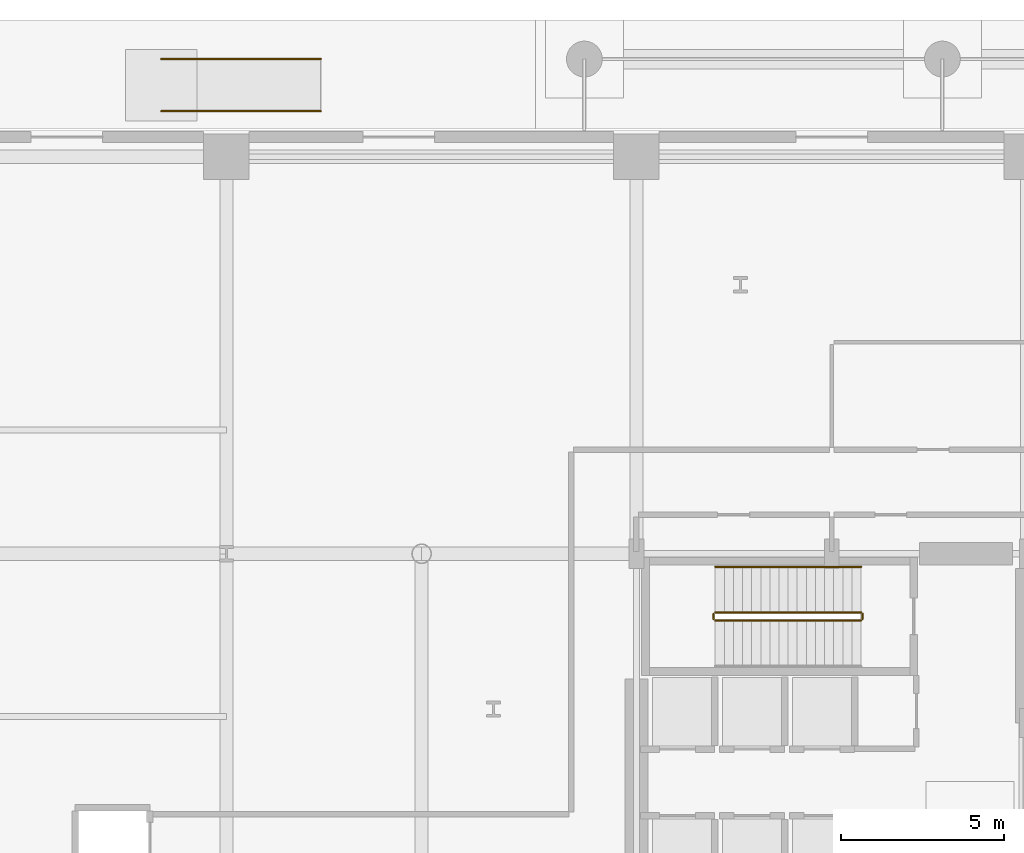
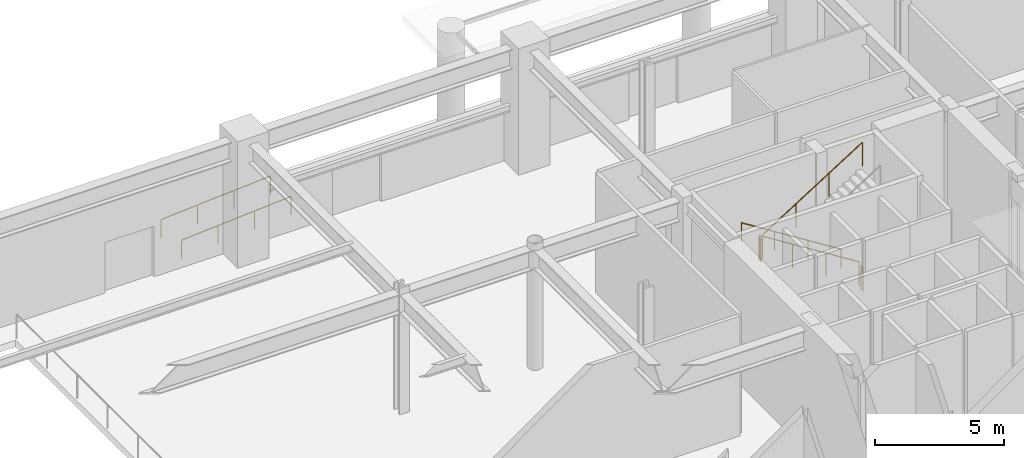
# One storey, part 28 of 31: 7 railings.
"""IFC4 building model written with IfcOpenShell, lengths in metres."""

from ifc_helpers import new_model, si_unit, direction, frame, origin, origin_2d, place, context, subcontext, project, spatial, circle, extrude, material, type_object, element, save


model = new_model("IFC4")

# Units and contexts
model_context = context("Model", 3, precision=1e-05, world=origin(), true_north=direction((0.0, 1.0)))
body_context = subcontext(model_context, "Body", "Model", "MODEL_VIEW")
ifc_project = project(units=[si_unit("LENGTHUNIT", "METRE"), si_unit("AREAUNIT", "SQUARE_METRE"), si_unit("VOLUMEUNIT", "CUBIC_METRE"), si_unit("PLANEANGLEUNIT", "RADIAN"), si_unit("MASSUNIT", "GRAM", prefix="KILO")], contexts=[model_context])

# Site, building, storey
site_placement = place(None, origin())
site = spatial("IfcSite", under=ifc_project, at=site_placement, CompositionType="ELEMENT")
building_placement = place(site_placement, origin())
building = spatial("IfcBuilding", under=site, at=building_placement, Name="Soratama Intermodal Tower", CompositionType="ELEMENT")
storey_placement = place(building_placement, origin())
storey = spatial("IfcBuildingStorey", under=building, at=storey_placement, Name="L00", CompositionType="ELEMENT", Elevation=0.0)

# Railings
ifc_material_1 = material(Name="Painted steel stair guardrail", Category="steel")
railing_type_1 = type_object("IfcRailingType", Name="RL-STAIR-GUARD", PredefinedType="GUARDRAIL", material=ifc_material_1)
railing_1_placement = place(storey_placement, frame((39.5, 33.199951171875, 0.176513671875)))
element("IfcRailing", 1, at=railing_1_placement, inside=storey, type_object=railing_type_1, Name="L00 ST-2 stair guard 1", PredefinedType="GUARDRAIL", context=body_context, shape_type="SweptSolid", body=[
    extrude(circle(Radius=0.02392578125, at=origin_2d()), frame((0.0, 0.0, 1.1259765625), z_axis=(-0.845997938375, 0.0, 0.533186166611), x_axis=(0.0, -1.0, 0.0)), (0.0, 0.0, 1.0), 5.29541015625),
    extrude(circle(Radius=0.02099609375, at=origin_2d()), origin(), (0.0, 0.0, 1.0), 1.101806640625),
    extrude(circle(Radius=0.02099609375, at=origin_2d()), frame((-1.493408203125, 0.0, 0.941162109375)), (0.0, 0.0, 1.0), 1.101806640625),
    extrude(circle(Radius=0.02099609375, at=origin_2d()), frame((-2.986572265625, 0.0, 1.88232421875)), (0.0, 0.0, 1.0), 1.101806640625),
    extrude(circle(Radius=0.02099609375, at=origin_2d()), frame((-4.47998046875, 0.0, 2.823486328125)), (0.0, 0.0, 1.0), 1.101806640625),
])
railing_2_placement = place(storey_placement, frame((34.969970703125, 33.14990234375, 3.0)))
element("IfcRailing", 2, at=railing_2_placement, inside=storey, type_object=railing_type_1, Name="L00 ST-2 stair guard 2", PredefinedType="GUARDRAIL", context=body_context, shape_type="SweptSolid", body=[
    extrude(circle(Radius=0.02392578125, at=origin_2d()), frame((0.0, 0.0, 1.1259765625), z_axis=(0.0, -1.0, 0.0), x_axis=(1.0, 0.0, 0.0)), (0.0, 0.0, 1.0), 0.14990234375),
    extrude(circle(Radius=0.02099609375, at=origin_2d()), origin(), (0.0, 0.0, 1.0), 1.101806640625),
    extrude(circle(Radius=0.02099609375, at=origin_2d()), frame((0.0, -0.14990234375, 0.0)), (0.0, 0.0, 1.0), 1.101806640625),
])
railing_3_placement = place(storey_placement, frame((35.02001953125, 32.949951171875, 3.176513671875)))
element("IfcRailing", 3, at=railing_3_placement, inside=storey, type_object=railing_type_1, Name="L00 ST-2 stair guard 3", PredefinedType="GUARDRAIL", context=body_context, shape_type="SweptSolid", body=[
    extrude(circle(Radius=0.02392578125, at=origin_2d()), frame((0.0, 0.0, 1.1259765625), z_axis=(0.845997938375, 0.0, 0.533186166611), x_axis=(0.0, 1.0, 0.0)), (0.0, 0.0, 1.0), 5.29541015625),
    extrude(circle(Radius=0.02099609375, at=origin_2d()), origin(), (0.0, 0.0, 1.0), 1.101806640625),
    extrude(circle(Radius=0.02099609375, at=origin_2d()), frame((1.493408203125, 0.0, 0.941162109375)), (0.0, 0.0, 1.0), 1.101806640625),
    extrude(circle(Radius=0.02099609375, at=origin_2d()), frame((2.986572265625, 0.0, 1.88232421875)), (0.0, 0.0, 1.0), 1.101806640625),
    extrude(circle(Radius=0.02099609375, at=origin_2d()), frame((4.47998046875, 0.0, 2.823486328125)), (0.0, 0.0, 1.0), 1.101806640625),
])
railing_4_placement = place(storey_placement, frame((39.550048828125, 33.14990234375, 0.0)))
element("IfcRailing", 4, at=railing_4_placement, inside=storey, type_object=railing_type_1, Name="L00 ST-2 stair guard 4", PredefinedType="GUARDRAIL", context=body_context, shape_type="SweptSolid", body=[
    extrude(circle(Radius=0.02392578125, at=origin_2d()), frame((0.0, 0.0, 1.1259765625), z_axis=(0.0, -1.0, 0.0), x_axis=(1.0, 0.0, 0.0)), (0.0, 0.0, 1.0), 0.14990234375),
    extrude(circle(Radius=0.02099609375, at=origin_2d()), origin(), (0.0, 0.0, 1.0), 1.101806640625),
    extrude(circle(Radius=0.02099609375, at=origin_2d()), frame((0.0, -0.14990234375, 0.0)), (0.0, 0.0, 1.0), 1.101806640625),
])
ifc_material_2 = material(Name="Brushed stainless steel handrail", Category="steel")
railing_type_2 = type_object("IfcRailingType", Name="RL-STAIR-HAND", PredefinedType="HANDRAIL", material=ifc_material_2)
railing_5_placement = place(storey_placement, frame((39.5, 34.60009765625, 0.176513671875)))
element("IfcRailing", 5, at=railing_5_placement, inside=storey, type_object=railing_type_2, Name="L00 ST-2 stair handrail 1", PredefinedType="HANDRAIL", context=body_context, shape_type="SweptSolid", body=[
    extrude(circle(Radius=0.02392578125, at=origin_2d()), frame((0.0, 0.0, 0.8759765625), z_axis=(-0.845997938375, 0.0, 0.533186166611), x_axis=(0.0, -1.0, 0.0)), (0.0, 0.0, 1.0), 5.29541015625),
    extrude(circle(Radius=0.02099609375, at=origin_2d()), origin(), (0.0, 0.0, 1.0), 0.851806640625),
    extrude(circle(Radius=0.02099609375, at=origin_2d()), frame((-1.493408203125, 0.0, 0.941162109375)), (0.0, 0.0, 1.0), 0.851806640625),
    extrude(circle(Radius=0.02099609375, at=origin_2d()), frame((-2.986572265625, 0.0, 1.88232421875)), (0.0, 0.0, 1.0), 0.851806640625),
    extrude(circle(Radius=0.02099609375, at=origin_2d()), frame((-4.47998046875, 0.0, 2.823486328125)), (0.0, 0.0, 1.0), 0.851806640625),
])
for number, where, name in (
    (6, (18.0, 48.60009765625, -0.35009765625), "L00 Accessible Ramp Handrail N1 A"),
    (7, (18.0, 50.199951171875, -0.35009765625), "L00 Accessible Ramp Handrail N1 B"),
):
    element("IfcRailing", number, at=place(storey_placement, frame(where)), inside=storey, type_object=railing_type_2, Name=name, PredefinedType="HANDRAIL", context=body_context, shape_type="SweptSolid", body=[
        extrude(circle(Radius=0.02392578125, at=origin_2d()), frame((0.0, 0.0, 0.8759765625), z_axis=(0.997457185933, 0.0, 0.071268241387), x_axis=(0.0, 1.0, 0.0)), (0.0, 0.0, 1.0), 4.912353515625),
        extrude(circle(Radius=0.02099609375, at=origin_2d()), origin(), (0.0, 0.0, 1.0), 0.851806640625),
        extrude(circle(Radius=0.02099609375, at=origin_2d()), frame((1.63330078125, 0.0, 0.11669921875)), (0.0, 0.0, 1.0), 0.851806640625),
        extrude(circle(Radius=0.02099609375, at=origin_2d()), frame((3.2666015625, 0.0, 0.2333984375)), (0.0, 0.0, 1.0), 0.851806640625),
        extrude(circle(Radius=0.02099609375, at=origin_2d()), frame((4.89990234375, 0.0, 0.35009765625)), (0.0, 0.0, 1.0), 0.851806640625),
    ])

save(model, "model.ifc")
